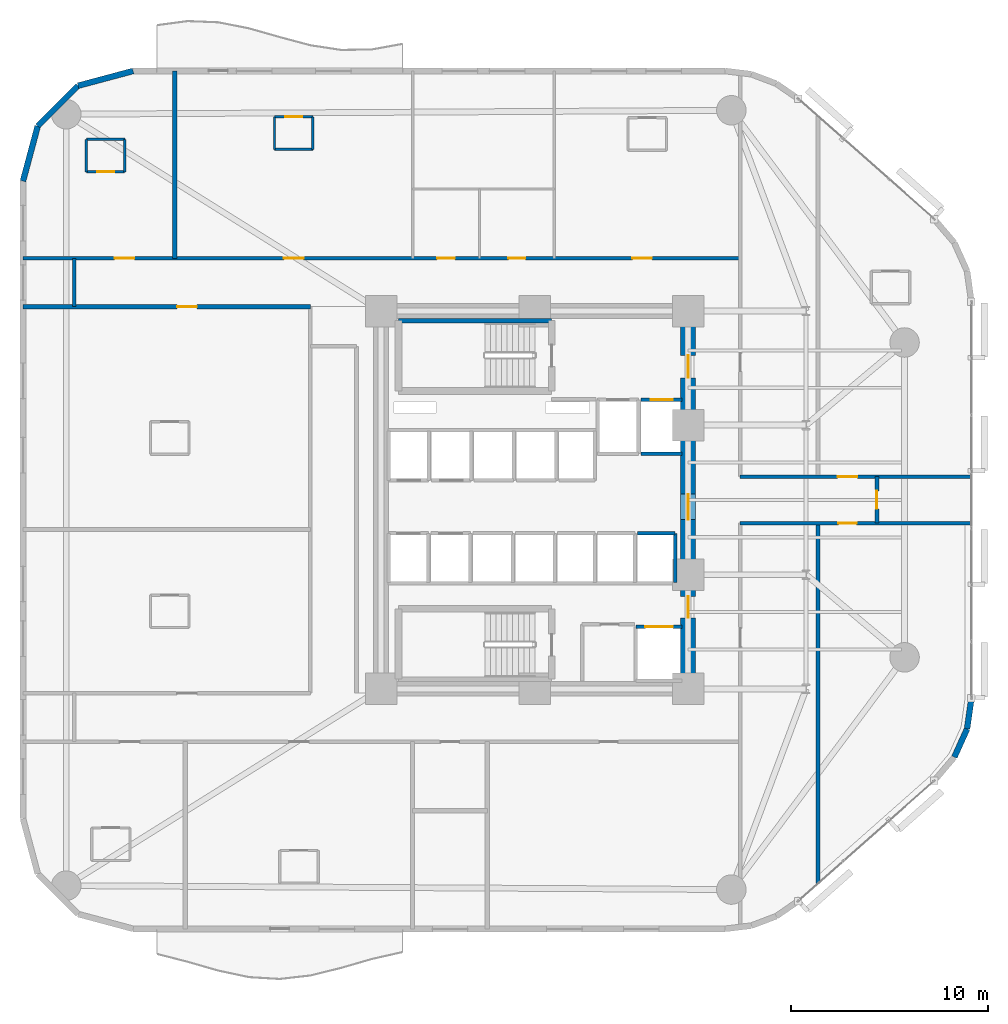
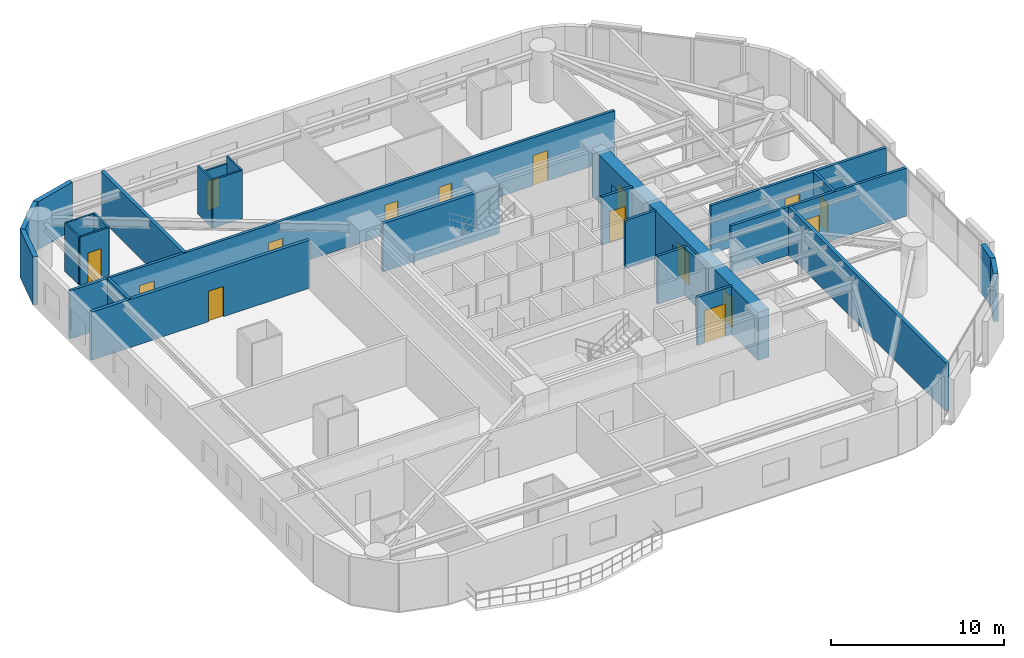
# One storey, part 12 of 16: 28 walls, 16 doors, 16 openings.
"""IFC4 building model written with IfcOpenShell, lengths in metres."""

import ifcopenshell
import ifcopenshell.guid

model = None  # the IFC model being written
_history = None  # IfcOwnerHistory: only IFC2X3 demands one
_inside = {}  # id of a spatial element -> (the spatial element, [elements in it])
_under = {}  # id of a project, library or spatial element -> (it, [spatial elements below it])
_declared = {}  # id of a project -> (the project, [libraries it declares])
_typed = {}  # id of a type object -> (the type object, [elements of that type])
_made_of = {}  # id of a material, layer set ... -> (it, [elements and type objects made of it])


def new_model(schema):
    """Start an empty IFC model of exactly this schema.

    Asked for "IFC4X3", IfcOpenShell would pick the latest addendum, in which some entities
    have other attributes; the version numbers below select the first issue.
    IFC2X3 requires an IfcOwnerHistory on every rooted entity: one is made here for all.
    """
    global model, _history
    if schema == "IFC4X3":
        model = ifcopenshell.file(schema_version=(4, 3, 0, 0))
    else:
        model = ifcopenshell.file(schema=schema)
    _inside.clear()
    _under.clear()
    _declared.clear()
    _typed.clear()
    _made_of.clear()
    _history = None
    if model.schema == "IFC2X3":
        org = make("IfcOrganization", Name="unknown")
        user = make(
            "IfcPersonAndOrganization",
            ThePerson=make("IfcPerson", FamilyName="unknown"),
            TheOrganization=org,
        )
        app = make(
            "IfcApplication",
            ApplicationDeveloper=org,
            Version="unknown",
            ApplicationFullName="unknown",
            ApplicationIdentifier="unknown",
        )
        _history = make(
            "IfcOwnerHistory",
            OwningUser=user,
            OwningApplication=app,
            ChangeAction="ADDED",
            CreationDate=0,
        )
    return model


def make(cls, **values):
    """One entity of the class cls with the attributes given. An attribute that is None is left unset."""
    return model.create_entity(
        cls, **{name: value for name, value in values.items() if value is not None}
    )


def rooted(cls, **values):
    """An entity with a GlobalId (a new one), such as an element, a storey or a relation."""
    return make(cls, GlobalId=ifcopenshell.guid.new(), OwnerHistory=_history, **values)


def si_unit(unit_type, name, prefix=None):
    """IfcSIUnit, for example si_unit("LENGTHUNIT", "METRE", prefix="MILLI")."""
    return make("IfcSIUnit", UnitType=unit_type, Prefix=prefix, Name=name)


def assignment(units):
    """IfcUnitAssignment: the units of a project."""
    return None if units is None else make("IfcUnitAssignment", Units=units)


def point(xyz):
    """IfcCartesianPoint."""
    return None if xyz is None else make("IfcCartesianPoint", Coordinates=xyz)


def direction(xyz):
    """IfcDirection."""
    return None if xyz is None else make("IfcDirection", DirectionRatios=xyz)


def frame(location, z_axis=None, x_axis=None):
    """IfcAxis2Placement3D, a coordinate frame: its origin and axes. An axis left out is left unset."""
    return make(
        "IfcAxis2Placement3D",
        Location=point(location),
        Axis=direction(z_axis),
        RefDirection=direction(x_axis),
    )


def frame_2d(location, x_axis=None):
    """IfcAxis2Placement2D, a coordinate frame in the plane: its origin and x axis."""
    return make(
        "IfcAxis2Placement2D", Location=point(location), RefDirection=direction(x_axis)
    )


def origin():
    """The frame at (0, 0, 0) with its axes left unset."""
    return frame((0.0, 0.0, 0.0))


def place(relative_to, where):
    """IfcLocalPlacement: puts the frame where relative to a parent placement (None: the world)."""
    return make(
        "IfcLocalPlacement", PlacementRelTo=relative_to, RelativePlacement=where
    )


def context(
    kind, dimensions, precision=None, world=None, true_north=None, identifier=None
):
    """IfcGeometricRepresentationContext, for example the 3D "Model" context."""
    return make(
        "IfcGeometricRepresentationContext",
        ContextIdentifier=identifier,
        ContextType=kind,
        CoordinateSpaceDimension=dimensions,
        Precision=precision,
        WorldCoordinateSystem=world,
        TrueNorth=true_north,
    )


def subcontext(parent, identifier, kind, view, scale=None):
    """IfcGeometricRepresentationSubContext, for example "Body" below "Model"."""
    return make(
        "IfcGeometricRepresentationSubContext",
        ContextIdentifier=identifier,
        ContextType=kind,
        ParentContext=parent,
        TargetScale=scale,
        TargetView=view,
    )


def project(units=None, contexts=None):
    """IfcProject with its units and contexts."""
    return rooted(
        "IfcProject",
        Name="project",
        RepresentationContexts=contexts,
        UnitsInContext=assignment(units),
    )


def spatial(cls, under=None, at=None, **own):
    """A site, building, storey or space (cls), placed at a placement, below another one or the project."""
    s = rooted(cls, ObjectPlacement=at, **own)
    if under is not None:
        _under.setdefault(under.id(), (under, []))[1].append(s)
    return s


def profile(cls, at=None, kind="AREA", **sizes):
    """A parametric profile (cls). Its sizes go by their IFC names, for example OverallWidth=200.0."""
    return make(cls, ProfileType=kind, Position=at, **sizes)


def rectangle(**sizes):
    """IfcRectangleProfileDef."""
    return profile("IfcRectangleProfileDef", **sizes)


def extrude(swept, where, along, depth):
    """IfcExtrudedAreaSolid: the profile swept, set in the frame where, extruded along a direction by depth."""
    return make(
        "IfcExtrudedAreaSolid",
        SweptArea=swept,
        Position=where,
        ExtrudedDirection=direction(along),
        Depth=depth,
    )


def shape(context_of_items, identifier, shape_type, items):
    """IfcShapeRepresentation: the items that make up one representation, for example the "Body"."""
    return make(
        "IfcShapeRepresentation",
        ContextOfItems=context_of_items,
        RepresentationIdentifier=identifier,
        RepresentationType=shape_type,
        Items=items,
    )


def material(Name=None, Category=None):
    """IfcMaterial."""
    return make("IfcMaterial", Name=Name, Category=Category)


def layer(
    of_material, thickness, ventilated=None, Name=None, Category=None, Priority=None
):
    """IfcMaterialLayer: one layer of a wall or slab, of a material (None: an air gap)."""
    return make(
        "IfcMaterialLayer",
        Material=of_material,
        LayerThickness=thickness,
        IsVentilated=ventilated,
        Name=Name,
        Category=Category,
        Priority=Priority,
    )


def layer_set(layers, Name=None):
    """IfcMaterialLayerSet."""
    return make("IfcMaterialLayerSet", MaterialLayers=layers, LayerSetName=Name)


def made_of(thing, what):
    """Note that an element or type object is made of a material, layer set ...; save() writes the relation."""
    if what is not None:
        _made_of.setdefault(what.id(), (what, []))[1].append(thing)
    return thing


def type_object(cls, material=None, **own):
    """A type object (cls), such as IfcWallType, which elements share."""
    return made_of(rooted(cls, **own), material)


def element(
    cls,
    number,
    at=None,
    inside=None,
    cuts=None,
    type_object=None,
    material=None,
    context=None,
    identifier="Body",
    shape_type=None,
    held_by="IfcProductDefinitionShape",
    body=None,
    shapes=None,
    **own,
):
    """One element of the class cls, such as IfcWall. Its Tag is "e" and its number.

    at: its placement. inside: the storey or other place that contains it. cuts: it is an
    opening in that element (IfcRelVoidsElement). A single representation is given by context,
    identifier, shape_type and body (its items); several are given by shapes. held_by: the class
    of the entity that holds the representations. save() writes the other relations.
    """
    e = rooted(cls, Tag="e%d" % number, ObjectPlacement=at, **own)
    if body is not None:
        shapes = [shape(context, identifier, shape_type, body)]
    if shapes is not None:
        e.Representation = make(held_by, Representations=shapes)
    if inside is not None:
        _inside.setdefault(inside.id(), (inside, []))[1].append(e)
    if cuts is not None:
        rooted(
            "IfcRelVoidsElement", RelatingBuildingElement=cuts, RelatedOpeningElement=e
        )
    if type_object is not None:
        _typed.setdefault(type_object.id(), (type_object, []))[1].append(e)
    return made_of(e, material)


def fill(opening, filler):
    """IfcRelFillsElement: the door or window that sits in an opening."""
    return rooted(
        "IfcRelFillsElement",
        RelatingOpeningElement=opening,
        RelatedBuildingElement=filler,
    )


def aggregate(whole, parts):
    """IfcRelAggregates: a whole, such as a stair, and the parts it consists of."""
    return rooted("IfcRelAggregates", RelatingObject=whole, RelatedObjects=parts)


def save(model, path):
    """Write the relations noted so far, then the file.

    IfcRelAggregates (storeys below a building ...), IfcRelContainedInSpatialStructure (elements
    in a storey), IfcRelDefinesByType, IfcRelAssociatesMaterial and IfcRelDeclares: one each for
    every whole, place, type object, material and project.
    """
    for whole, parts in _under.values():
        aggregate(whole, parts)
    for where, things in _inside.values():
        rooted(
            "IfcRelContainedInSpatialStructure",
            RelatedElements=things,
            RelatingStructure=where,
        )
    for kind, things in _typed.values():
        rooted("IfcRelDefinesByType", RelatedObjects=things, RelatingType=kind)
    for what, things in _made_of.values():
        rooted("IfcRelAssociatesMaterial", RelatedObjects=things, RelatingMaterial=what)
    for by, libraries in _declared.values():
        rooted("IfcRelDeclares", RelatingContext=by, RelatedDefinitions=libraries)
    model.write(path)


model = new_model("IFC4")

# Units and contexts
model_context = context("Model", 3, precision=1e-05, world=origin(), true_north=direction((0.0, 1.0)))
body_context = subcontext(model_context, "Body", "Model", "MODEL_VIEW")
ifc_project = project(units=[si_unit("LENGTHUNIT", "METRE"), si_unit("AREAUNIT", "SQUARE_METRE"), si_unit("VOLUMEUNIT", "CUBIC_METRE"), si_unit("PLANEANGLEUNIT", "RADIAN"), si_unit("MASSUNIT", "GRAM", prefix="KILO")], contexts=[model_context])

# Site, building, storey
site_placement = place(None, origin())
site = spatial("IfcSite", under=ifc_project, at=site_placement, CompositionType="ELEMENT")
building_placement = place(site_placement, origin())
building = spatial("IfcBuilding", under=site, at=building_placement, Name="An Khanh Terracotta Commons", CompositionType="ELEMENT")
storey_placement = place(building_placement, frame((0.0, 0.0, 28.800048828125)))
storey = spatial("IfcBuildingStorey", under=building, at=storey_placement, Name="L07", CompositionType="ELEMENT", Elevation=28.800048828125)

# Wall, openings, doors
ifc_material_1 = material(Name="Concrete C70/85", Category="concrete")
ifc_layer_1 = layer(ifc_material_1, 0.75, Name="Concrete C70/85")
ifc_layer_set_1 = layer_set([ifc_layer_1], Name="Concrete C70/85")
wall_type_1 = type_object("IfcWallType", Name="WALL-CORE-750", PredefinedType="SHEAR", material=ifc_layer_set_1)
wall_1_placement = place(storey_placement, frame((37.199951171875, 14.39990234375, 0.0), z_axis=(0.0, 0.0, 1.0), x_axis=(0.0, 1.0, 0.0)))
wall_1 = element("IfcWall", 1, at=wall_1_placement, inside=storey, type_object=wall_type_1, Name="L07 Core Wall CWALL-L07-E", PredefinedType="SHEAR", context=body_context, shape_type="SweptSolid", body=[
    extrude(rectangle(XDim=19.2001953125, YDim=0.75, at=frame_2d((9.60009765625, 0.0))), origin(), (0.0, 0.0, 1.0), 3.39990234375),
])
opening_1_placement = place(wall_1_placement, frame((15.800048828125, 0.0, 0.0)))
opening_1 = element("IfcOpeningElement", 2, at=opening_1_placement, cuts=wall_1, Name="Opening D-FFL", PredefinedType="OPENING", context=body_context, shape_type="SweptSolid", body=[
    extrude(rectangle(XDim=1.14990234375, YDim=2.14990234375, at=frame_2d((0.574951171875, 1.074951171875))), frame((0.0, 0.385009765625, 0.0), z_axis=(0.0, -1.0, 0.0), x_axis=(1.0, 0.0, 0.0)), (0.0, 0.0, 1.0), 0.77001953125),
])
opening_2_placement = place(wall_1_placement, frame((3.60009765625, 0.0, 0.0)))
opening_2 = element("IfcOpeningElement", 3, at=opening_2_placement, cuts=wall_1, Name="Opening D-ST", PredefinedType="OPENING", context=body_context, shape_type="SweptSolid", body=[
    extrude(rectangle(XDim=1.10009765625, YDim=2.14990234375, at=frame_2d((0.550048828125, 1.074951171875))), frame((0.0, 0.385009765625, 0.0), z_axis=(0.0, -1.0, 0.0), x_axis=(1.0, 0.0, 0.0)), (0.0, 0.0, 1.0), 0.77001953125),
])
opening_3_placement = place(wall_1_placement, frame((8.60009765625, 0.0, 0.0)))
opening_3 = element("IfcOpeningElement", 4, at=opening_3_placement, cuts=wall_1, Name="Opening D-COR", PredefinedType="OPENING", context=body_context, shape_type="SweptSolid", body=[
    extrude(rectangle(XDim=1.300048828125, YDim=2.199951171875, at=frame_2d((0.64990234375, 1.10009765625))), frame((0.0, 0.385009765625, 0.0), z_axis=(0.0, -1.0, 0.0), x_axis=(1.0, 0.0, 0.0)), (0.0, 0.0, 1.0), 0.77001953125),
])
ifc_material_2 = material(Name="Fire-Rated Glazed Steel Double Door", Category="steel")
door_type_1 = type_object("IfcDoorType", Name="DOOR-CORR-1300", OperationType="NOTDEFINED", PredefinedType="DOOR", material=ifc_material_2)
door_1_placement = place(opening_3_placement, origin())
door_1 = element("IfcDoor", 5, at=door_1_placement, inside=storey, type_object=door_type_1, Name="L07 Passenger Lift Lobby Double Door", OperationType="DOUBLE_DOOR_SINGLE_SWING", OverallHeight=2.199951171875, OverallWidth=1.300048828125, PredefinedType="DOOR", context=body_context, shape_type="SweptSolid", body=[
    extrude(rectangle(XDim=1.300048828125, YDim=2.199951171875, at=frame_2d((0.64990234375, 1.10009765625))), frame((0.0, 0.02490234375, 0.0), z_axis=(0.0, -1.0, 0.0), x_axis=(1.0, 0.0, 0.0)), (0.0, 0.0, 1.0), 0.050048828125),
])
fill(opening_3, door_1)
ifc_material_3 = material(Name="Fire-Rated Steel Leaf and Vision Panel", Category="steel")
door_type_2 = type_object("IfcDoorType", Name="DOOR-FFL-1150", OperationType="NOTDEFINED", PredefinedType="DOOR", material=ifc_material_3)
door_2_placement = place(opening_1_placement, origin())
door_2 = element("IfcDoor", 6, at=door_2_placement, inside=storey, type_object=door_type_2, Name="L07 Firefighting Lift Lobby Fire Door", OperationType="SINGLE_SWING_RIGHT", OverallHeight=2.14990234375, OverallWidth=1.14990234375, PredefinedType="DOOR", context=body_context, shape_type="SweptSolid", body=[
    extrude(rectangle(XDim=1.14990234375, YDim=2.14990234375, at=frame_2d((0.574951171875, 1.074951171875))), frame((0.0, 0.02490234375, 0.0), z_axis=(0.0, -1.0, 0.0), x_axis=(1.0, 0.0, 0.0)), (0.0, 0.0, 1.0), 0.050048828125),
])
fill(opening_1, door_2)
ifc_material_4 = material(Name="Fire-Rated Steel Leaf and Frame", Category="steel")
door_type_3 = type_object("IfcDoorType", Name="DOOR-STAIR-1100", OperationType="NOTDEFINED", PredefinedType="DOOR", material=ifc_material_4)
door_3_placement = place(opening_2_placement, origin())
door_3 = element("IfcDoor", 7, at=door_3_placement, inside=storey, type_object=door_type_3, Name="L07 South Stair Lobby Fire Door", OperationType="SINGLE_SWING_LEFT", OverallHeight=2.14990234375, OverallWidth=1.10009765625, PredefinedType="DOOR", context=body_context, shape_type="SweptSolid", body=[
    extrude(rectangle(XDim=1.10009765625, YDim=2.14990234375, at=frame_2d((0.550048828125, 1.074951171875))), frame((0.0, 0.02490234375, 0.0), z_axis=(0.0, -1.0, 0.0), x_axis=(1.0, 0.0, 0.0)), (0.0, 0.0, 1.0), 0.050048828125),
])
fill(opening_2, door_3)

# Wall, opening, door
ifc_material_5 = material(Name="Fire-Rated Gypsum Board on Steel Stud", Category="steel")
ifc_layer_2 = layer(ifc_material_5, 0.179931640625, Name="Fire-Rated Gypsum Board on Steel Stud")
ifc_layer_set_2 = layer_set([ifc_layer_2], Name="Fire-Rated Gypsum Board on Steel Stud")
wall_type_2 = type_object("IfcWallType", Name="WALL-CORR-180", PredefinedType="PARTITIONING", material=ifc_layer_set_2)
wall_2_placement = place(storey_placement, frame((34.820068359375, 29.080078125, 0.0), z_axis=(0.0, 0.0, 1.0), x_axis=(1.0, 0.0, 0.0)))
wall_2 = element("IfcWall", 8, at=wall_2_placement, inside=storey, type_object=wall_type_2, Name="L07 Core Wall LSH-L07-FFL-02-N", PredefinedType="PARTITIONING", context=body_context, shape_type="SweptSolid", body=[
    extrude(rectangle(XDim=2.079833984375, YDim=0.179931640625, at=frame_2d((1.0400390625, 0.0))), origin(), (0.0, 0.0, 1.0), 3.39990234375),
])
opening_4_placement = place(wall_2_placement, frame((0.489990234375, 0.0, 0.0)))
opening_4 = element("IfcOpeningElement", 9, at=opening_4_placement, cuts=wall_2, Name="Opening LD-FFL-02-L07", PredefinedType="OPENING", context=body_context, shape_type="SweptSolid", body=[
    extrude(rectangle(XDim=1.10009765625, YDim=2.199951171875, at=frame_2d((0.550048828125, 1.10009765625))), frame((0.0, 0.099853515625, 0.0), z_axis=(0.0, -1.0, 0.0), x_axis=(1.0, 0.0, 0.0)), (0.0, 0.0, 1.0), 0.199951171875),
])
ifc_material_6 = material(Name="Brushed Stainless Steel Fire Landing Door", Category="steel")
door_type_4 = type_object("IfcDoorType", Name="DOOR-LD-FFL-1100", OperationType="NOTDEFINED", PredefinedType="DOOR", material=ifc_material_6)
door_4_placement = place(opening_4_placement, origin())
door_4 = element("IfcDoor", 10, at=door_4_placement, inside=storey, type_object=door_type_4, Name="L07 Lift FFL-02 Sliding Landing Door", OperationType="DOUBLE_DOOR_SLIDING", OverallHeight=2.199951171875, OverallWidth=1.10009765625, PredefinedType="DOOR", context=body_context, shape_type="SweptSolid", body=[
    extrude(rectangle(XDim=1.10009765625, YDim=2.199951171875, at=frame_2d((0.550048828125, 1.10009765625))), frame((0.0, 0.02490234375, 0.0), z_axis=(0.0, -1.0, 0.0), x_axis=(1.0, 0.0, 0.0)), (0.0, 0.0, 1.0), 0.050048828125),
])
fill(opening_4, door_4)

# Wall
wall_3_placement = place(storey_placement, frame((36.89990234375, 26.35009765625, 0.0), z_axis=(0.0, 0.0, 1.0), x_axis=(-1.0, 0.0, 0.0)))
element("IfcWall", 11, at=wall_3_placement, inside=storey, type_object=wall_type_2, Name="L07 Core Wall LSH-L07-FFL-02-S", PredefinedType="PARTITIONING", context=body_context, shape_type="SweptSolid", body=[
    extrude(rectangle(XDim=2.079833984375, YDim=0.179931640625, at=frame_2d((1.0400390625, 0.0))), origin(), (0.0, 0.0, 1.0), 3.39990234375),
])

# Wall, opening, door
wall_4_placement = place(storey_placement, frame((34.550048828125, 17.550048828125, 0.0), z_axis=(0.0, 0.0, 1.0), x_axis=(1.0, 0.0, 0.0)))
wall_4 = element("IfcWall", 12, at=wall_4_placement, inside=storey, type_object=wall_type_2, Name="L07 Core Wall LSH-L07-SVL-01-N", PredefinedType="PARTITIONING", context=body_context, shape_type="SweptSolid", body=[
    extrude(rectangle(XDim=2.349853515625, YDim=0.179931640625, at=frame_2d((1.1748046875, 0.0))), origin(), (0.0, 0.0, 1.0), 3.39990234375),
])
opening_5_placement = place(wall_4_placement, frame((0.47509765625, 0.0, 0.0)))
opening_5 = element("IfcOpeningElement", 13, at=opening_5_placement, cuts=wall_4, Name="Opening LD-SVL-01-L07", PredefinedType="OPENING", context=body_context, shape_type="SweptSolid", body=[
    extrude(rectangle(XDim=1.39990234375, YDim=2.300048828125, at=frame_2d((0.699951171875, 1.14990234375))), frame((0.0, 0.099853515625, 0.0), z_axis=(0.0, -1.0, 0.0), x_axis=(1.0, 0.0, 0.0)), (0.0, 0.0, 1.0), 0.199951171875),
])
ifc_material_7 = material(Name="Heavy-Duty Stainless Steel Goods Landing Door", Category="steel")
door_type_5 = type_object("IfcDoorType", Name="DOOR-LD-SVL-1400", OperationType="NOTDEFINED", PredefinedType="DOOR", material=ifc_material_7)
door_5_placement = place(opening_5_placement, origin())
door_5 = element("IfcDoor", 14, at=door_5_placement, inside=storey, type_object=door_type_5, Name="L07 Lift SVL-01 Sliding Landing Door", OperationType="DOUBLE_DOOR_SLIDING", OverallHeight=2.300048828125, OverallWidth=1.39990234375, PredefinedType="DOOR", context=body_context, shape_type="SweptSolid", body=[
    extrude(rectangle(XDim=1.39990234375, YDim=2.300048828125, at=frame_2d((0.699951171875, 1.14990234375))), frame((0.0, 0.02490234375, 0.0), z_axis=(0.0, -1.0, 0.0), x_axis=(1.0, 0.0, 0.0)), (0.0, 0.0, 1.0), 0.050048828125),
])
fill(opening_5, door_5)

# Walls
wall_5_placement = place(storey_placement, frame((34.639892578125, 22.300048828125, 0.0), z_axis=(0.0, 0.0, 1.0), x_axis=(1.0, 0.0, 0.0)))
element("IfcWall", 15, at=wall_5_placement, inside=storey, type_object=wall_type_2, Name="L07 Core Wall LSH-L07-PL-H4-N", PredefinedType="PARTITIONING", context=body_context, shape_type="SweptSolid", body=[
    extrude(rectangle(XDim=1.900146484375, YDim=0.179931640625, at=frame_2d((0.9501953125, 0.0))), origin(), (0.0, 0.0, 1.0), 3.39990234375),
])
wall_6_placement = place(storey_placement, frame((36.5400390625, 19.800048828125, 0.0), z_axis=(0.0, 0.0, 1.0), x_axis=(0.0, 1.0, 0.0)))
element("IfcWall", 16, at=wall_6_placement, inside=storey, type_object=wall_type_2, Name="L07 Core Wall LSH-L07-PL-H4-E", PredefinedType="PARTITIONING", context=body_context, shape_type="SweptSolid", body=[
    extrude(rectangle(XDim=2.5, YDim=0.179931640625, at=frame_2d((1.25, 0.0))), origin(), (0.0, 0.0, 1.0), 3.39990234375),
])

# Wall, opening, door
wall_7_placement = place(storey_placement, frame((39.85009765625, 22.820068359375, 0.0), z_axis=(0.0, 0.0, 1.0), x_axis=(1.0, 0.0, 0.0)))
wall_7 = element("IfcWall", 17, at=wall_7_placement, inside=storey, type_object=wall_type_2, Name="L07 Interior Partition IW-L07-E005", PredefinedType="PARTITIONING", context=body_context, shape_type="SweptSolid", body=[
    extrude(rectangle(XDim=11.75, YDim=0.179931640625, at=frame_2d((5.875, 0.0))), origin(), (0.0, 0.0, 1.0), 3.39990234375),
])
opening_6_placement = place(wall_7_placement, frame((4.989990234375, 0.0, 0.0)))
opening_6 = element("IfcOpeningElement", 18, at=opening_6_placement, cuts=wall_7, Name="Opening D-RM", PredefinedType="OPENING", context=body_context, shape_type="SweptSolid", body=[
    extrude(rectangle(XDim=0.919921875, YDim=2.10009765625, at=frame_2d((0.4599609375, 1.050048828125))), frame((0.0, 0.099853515625, 0.0), z_axis=(0.0, -1.0, 0.0), x_axis=(1.0, 0.0, 0.0)), (0.0, 0.0, 1.0), 0.199951171875),
])
ifc_material_8 = material(Name="Engineered Hardwood Timber Leaf", Category="wood")
door_type_6 = type_object("IfcDoorType", Name="DOOR-INT-920", OperationType="NOTDEFINED", PredefinedType="DOOR", material=ifc_material_8)
door_6_placement = place(opening_6_placement, origin())
door_6 = element("IfcDoor", 19, at=door_6_placement, inside=storey, type_object=door_type_6, Name="L07 ENO2 Riverfront Reading Hall Door", OperationType="SINGLE_SWING_LEFT", OverallHeight=2.10009765625, OverallWidth=0.919921875, PredefinedType="DOOR", context=body_context, shape_type="SweptSolid", body=[
    extrude(rectangle(XDim=0.919921875, YDim=2.10009765625, at=frame_2d((0.4599609375, 1.050048828125))), frame((0.0, 0.02490234375, 0.0), z_axis=(0.0, -1.0, 0.0), x_axis=(1.0, 0.0, 0.0)), (0.0, 0.0, 1.0), 0.050048828125),
])
fill(opening_6, door_6)

wall_8_placement = place(storey_placement, frame((39.85009765625, 25.179931640625, 0.0), z_axis=(0.0, 0.0, 1.0), x_axis=(1.0, 0.0, 0.0)))
wall_8 = element("IfcWall", 20, at=wall_8_placement, inside=storey, type_object=wall_type_2, Name="L07 Interior Partition IW-L07-E006", PredefinedType="PARTITIONING", context=body_context, shape_type="SweptSolid", body=[
    extrude(rectangle(XDim=11.75, YDim=0.179931640625, at=frame_2d((5.875, 0.0))), origin(), (0.0, 0.0, 1.0), 3.39990234375),
])
opening_7_placement = place(wall_8_placement, frame((4.949951171875, 0.0, 0.0)))
opening_7 = element("IfcOpeningElement", 21, at=opening_7_placement, cuts=wall_8, Name="Opening D-UN", PredefinedType="OPENING", context=body_context, shape_type="SweptSolid", body=[
    extrude(rectangle(XDim=1.0, YDim=2.14990234375, at=frame_2d((0.5, 1.074951171875))), frame((0.0, 0.099853515625, 0.0), z_axis=(0.0, -1.0, 0.0), x_axis=(1.0, 0.0, 0.0)), (0.0, 0.0, 1.0), 0.199951171875),
])
ifc_material_9 = material(Name="Solid-Core Hardwood Acoustic Fire Door", Category="wood")
door_type_7 = type_object("IfcDoorType", Name="DOOR-UNIT-1000", OperationType="NOTDEFINED", PredefinedType="DOOR", material=ifc_material_9)
door_7_placement = place(opening_7_placement, origin())
door_7 = element("IfcDoor", 22, at=door_7_placement, inside=storey, type_object=door_type_7, Name="L07 ENO1 Kitchenette and Studio Apartment Door", OperationType="SINGLE_SWING_RIGHT", OverallHeight=2.14990234375, OverallWidth=1.0, PredefinedType="DOOR", context=body_context, shape_type="SweptSolid", body=[
    extrude(rectangle(XDim=1.0, YDim=2.14990234375, at=frame_2d((0.5, 1.074951171875))), frame((0.0, 0.02490234375, 0.0), z_axis=(0.0, -1.0, 0.0), x_axis=(1.0, 0.0, 0.0)), (0.0, 0.0, 1.0), 0.050048828125),
])
fill(opening_7, door_7)

# Wall, openings, doors
wall_9_placement = place(storey_placement, frame((3.39990234375, 36.280029296875, 0.0), z_axis=(0.0, 0.0, 1.0), x_axis=(1.0, 0.0, 0.0)))
wall_9 = element("IfcWall", 23, at=wall_9_placement, inside=storey, type_object=wall_type_2, Name="L07 Interior Partition IW-L07-E009", PredefinedType="PARTITIONING", context=body_context, shape_type="SweptSolid", body=[
    extrude(rectangle(XDim=36.4501953125, YDim=0.179931640625, at=frame_2d((18.22509765625, 0.0))), origin(), (0.0, 0.0, 1.0), 3.39990234375),
])
opening_8_placement = place(wall_9_placement, frame((21.050048828125, 0.0, 0.0)))
opening_8 = element("IfcOpeningElement", 24, at=opening_8_placement, cuts=wall_9, Name="Opening D-WC", PredefinedType="OPENING", context=body_context, shape_type="SweptSolid", body=[
    extrude(rectangle(XDim=0.89990234375, YDim=2.10009765625, at=frame_2d((0.449951171875, 1.050048828125))), frame((0.0, 0.099853515625, 0.0), z_axis=(0.0, -1.0, 0.0), x_axis=(1.0, 0.0, 0.0)), (0.0, 0.0, 1.0), 0.199951171875),
])
opening_9_placement = place(wall_9_placement, frame((24.669921875, 0.0, 0.0)))
opening_9 = element("IfcOpeningElement", 25, at=opening_9_placement, cuts=wall_9, Name="Opening D-ENS", PredefinedType="OPENING", context=body_context, shape_type="SweptSolid", body=[
    extrude(rectangle(XDim=0.860107421875, YDim=2.10009765625, at=frame_2d((0.43017578125, 1.050048828125))), frame((0.0, 0.099853515625, 0.0), z_axis=(0.0, -1.0, 0.0), x_axis=(1.0, 0.0, 0.0)), (0.0, 0.0, 1.0), 0.199951171875),
])
opening_10_placement = place(wall_9_placement, frame((4.658935546875, 0.0, 0.0)))
opening_10 = element("IfcOpeningElement", 26, at=opening_10_placement, cuts=wall_9, Name="Opening D-UN", PredefinedType="OPENING", context=body_context, shape_type="SweptSolid", body=[
    extrude(rectangle(XDim=1.0, YDim=2.14990234375, at=frame_2d((0.5, 1.074951171875))), frame((0.0, 0.099853515625, 0.0), z_axis=(0.0, -1.0, 0.0), x_axis=(1.0, 0.0, 0.0)), (0.0, 0.0, 1.0), 0.199951171875),
])
opening_11_placement = place(wall_9_placement, frame((13.258056640625, 0.0, 0.0)))
opening_11 = element("IfcOpeningElement", 27, at=opening_11_placement, cuts=wall_9, Name="Opening D-UN", PredefinedType="OPENING", context=body_context, shape_type="SweptSolid", body=[
    extrude(rectangle(XDim=1.0, YDim=2.14990234375, at=frame_2d((0.5, 1.074951171875))), frame((0.0, 0.099853515625, 0.0), z_axis=(0.0, -1.0, 0.0), x_axis=(1.0, 0.0, 0.0)), (0.0, 0.0, 1.0), 0.199951171875),
])
opening_12_placement = place(wall_9_placement, frame((30.965087890625, 0.0, 0.0)))
opening_12 = element("IfcOpeningElement", 28, at=opening_12_placement, cuts=wall_9, Name="Opening D-UN", PredefinedType="OPENING", context=body_context, shape_type="SweptSolid", body=[
    extrude(rectangle(XDim=1.0, YDim=2.14990234375, at=frame_2d((0.5, 1.074951171875))), frame((0.0, 0.099853515625, 0.0), z_axis=(0.0, -1.0, 0.0), x_axis=(1.0, 0.0, 0.0)), (0.0, 0.0, 1.0), 0.199951171875),
])
ifc_material_10 = material(Name="Moisture-Resistant Hardwood Timber Leaf", Category="wood")
door_type_8 = type_object("IfcDoorType", Name="DOOR-BATH-860", OperationType="NOTDEFINED", PredefinedType="DOOR", material=ifc_material_10)
door_8_placement = place(opening_9_placement, origin())
door_8 = element("IfcDoor", 29, at=door_8_placement, inside=storey, type_object=door_type_8, Name="L07 SHW Resident Shared Shower and Washroom Door", OperationType="SINGLE_SWING_RIGHT", OverallHeight=2.10009765625, OverallWidth=0.860107421875, PredefinedType="DOOR", context=body_context, shape_type="SweptSolid", body=[
    extrude(rectangle(XDim=0.860107421875, YDim=2.10009765625, at=frame_2d((0.43017578125, 1.050048828125))), frame((0.0, 0.02490234375, 0.0), z_axis=(0.0, -1.0, 0.0), x_axis=(1.0, 0.0, 0.0)), (0.0, 0.0, 1.0), 0.050048828125),
])
fill(opening_9, door_8)
door_9_placement = place(opening_10_placement, origin())
door_9 = element("IfcDoor", 30, at=door_9_placement, inside=storey, type_object=door_type_7, Name="L07 NW1 Kitchenette and Studio Apartment Door", OperationType="SINGLE_SWING_LEFT", OverallHeight=2.14990234375, OverallWidth=1.0, PredefinedType="DOOR", context=body_context, shape_type="SweptSolid", body=[
    extrude(rectangle(XDim=1.0, YDim=2.14990234375, at=frame_2d((0.5, 1.074951171875))), frame((0.0, 0.02490234375, 0.0), z_axis=(0.0, -1.0, 0.0), x_axis=(1.0, 0.0, 0.0)), (0.0, 0.0, 1.0), 0.050048828125),
])
fill(opening_10, door_9)
door_10_placement = place(opening_11_placement, origin())
door_10 = element("IfcDoor", 31, at=door_10_placement, inside=storey, type_object=door_type_7, Name="L07 NW2 Kitchenette and Studio Apartment Door", OperationType="SINGLE_SWING_RIGHT", OverallHeight=2.14990234375, OverallWidth=1.0, PredefinedType="DOOR", context=body_context, shape_type="SweptSolid", body=[
    extrude(rectangle(XDim=1.0, YDim=2.14990234375, at=frame_2d((0.5, 1.074951171875))), frame((0.0, 0.02490234375, 0.0), z_axis=(0.0, -1.0, 0.0), x_axis=(1.0, 0.0, 0.0)), (0.0, 0.0, 1.0), 0.050048828125),
])
fill(opening_11, door_10)
door_11_placement = place(opening_12_placement, origin())
door_11 = element("IfcDoor", 32, at=door_11_placement, inside=storey, type_object=door_type_7, Name="L07 NWE Kitchenette and Studio Apartment Door", OperationType="SINGLE_SWING_LEFT", OverallHeight=2.14990234375, OverallWidth=1.0, PredefinedType="DOOR", context=body_context, shape_type="SweptSolid", body=[
    extrude(rectangle(XDim=1.0, YDim=2.14990234375, at=frame_2d((0.5, 1.074951171875))), frame((0.0, 0.02490234375, 0.0), z_axis=(0.0, -1.0, 0.0), x_axis=(1.0, 0.0, 0.0)), (0.0, 0.0, 1.0), 0.050048828125),
])
fill(opening_12, door_11)
ifc_material_11 = material(Name="Laminate Moisture-Resistant Timber Leaf", Category="wood")
door_type_9 = type_object("IfcDoorType", Name="DOOR-WC-900", OperationType="NOTDEFINED", PredefinedType="DOOR", material=ifc_material_11)
door_12_placement = place(opening_8_placement, origin())
door_12 = element("IfcDoor", 33, at=door_12_placement, inside=storey, type_object=door_type_9, Name="L07 AWC Accessible WC Door", OperationType="SINGLE_SWING_LEFT", OverallHeight=2.10009765625, OverallWidth=0.89990234375, PredefinedType="DOOR", context=body_context, shape_type="SweptSolid", body=[
    extrude(rectangle(XDim=0.89990234375, YDim=2.10009765625, at=frame_2d((0.449951171875, 1.050048828125))), frame((0.0, 0.02490234375, 0.0), z_axis=(0.0, -1.0, 0.0), x_axis=(1.0, 0.0, 0.0)), (0.0, 0.0, 1.0), 0.050048828125),
])
fill(opening_8, door_12)

# Wall
wall_10_placement = place(storey_placement, frame((6.0, 33.820068359375, 0.0), z_axis=(0.0, 0.0, 1.0), x_axis=(0.0, 1.0, 0.0)))
element("IfcWall", 34, at=wall_10_placement, inside=storey, type_object=wall_type_2, Name="L07 Interior Partition IW-L07-E012", PredefinedType="PARTITIONING", context=body_context, shape_type="SweptSolid", body=[
    extrude(rectangle(XDim=2.4599609375, YDim=0.179931640625, at=frame_2d((1.22998046875, 0.0))), origin(), (0.0, 0.0, 1.0), 3.39990234375),
])

# Wall, opening, door
wall_11_placement = place(storey_placement, frame((46.800048828125, 22.820068359375, 0.0), z_axis=(0.0, 0.0, 1.0), x_axis=(0.0, 1.0, 0.0)))
wall_11 = element("IfcWall", 35, at=wall_11_placement, inside=storey, type_object=wall_type_2, Name="L07 Interior Partition IW-L07-E026", PredefinedType="PARTITIONING", context=body_context, shape_type="SweptSolid", body=[
    extrude(rectangle(XDim=2.35986328125, YDim=0.179931640625, at=frame_2d((1.179931640625, 0.0))), origin(), (0.0, 0.0, 1.0), 3.39990234375),
])
opening_13_placement = place(wall_11_placement, frame((0.719970703125, 0.0, 0.0)))
opening_13 = element("IfcOpeningElement", 36, at=opening_13_placement, cuts=wall_11, Name="Opening D-RM", PredefinedType="OPENING", context=body_context, shape_type="SweptSolid", body=[
    extrude(rectangle(XDim=0.919921875, YDim=2.10009765625, at=frame_2d((0.4599609375, 1.050048828125))), frame((0.0, 0.099853515625, 0.0), z_axis=(0.0, -1.0, 0.0), x_axis=(1.0, 0.0, 0.0)), (0.0, 0.0, 1.0), 0.199951171875),
])
door_13_placement = place(opening_13_placement, origin())
door_13 = element("IfcDoor", 37, at=door_13_placement, inside=storey, type_object=door_type_6, Name="L07 ENO3 Quiet Focus Office Door", OperationType="SINGLE_SWING_RIGHT", OverallHeight=2.10009765625, OverallWidth=0.919921875, PredefinedType="DOOR", context=body_context, shape_type="SweptSolid", body=[
    extrude(rectangle(XDim=0.919921875, YDim=2.10009765625, at=frame_2d((0.4599609375, 1.050048828125))), frame((0.0, 0.02490234375, 0.0), z_axis=(0.0, -1.0, 0.0), x_axis=(1.0, 0.0, 0.0)), (0.0, 0.0, 1.0), 0.050048828125),
])
fill(opening_13, door_13)

# Walls
ifc_material_12 = material(Name="Precast concrete C40/50", Category="concrete")
ifc_layer_3 = layer(ifc_material_12, 0.300048828125, Name="Precast concrete C40/50")
ifc_layer_set_3 = layer_set([ifc_layer_3], Name="Precast concrete C40/50")
wall_type_3 = type_object("IfcWallType", Name="WALL-EXT-300", PredefinedType="SOLIDWALL", material=ifc_layer_set_3)
wall_12_placement = place(storey_placement, frame((50.73193359375, 10.927978515625, 0.0), z_axis=(0.0, 0.0, 1.0), x_axis=(0.410996558744, 0.911636895206, 0.0)))
element("IfcWall", 38, at=wall_12_placement, inside=storey, type_object=wall_type_3, Name="L07 Insulated Terracotta Exterior Wall 10", PredefinedType="SOLIDWALL", context=body_context, shape_type="SweptSolid", body=[
    extrude(rectangle(XDim=1.57421875, YDim=0.300048828125, at=frame_2d((0.787109375, 0.0))), origin(), (0.0, 0.0, 1.0), 3.39990234375),
])
wall_13_placement = place(storey_placement, frame((51.37890625, 12.363037109375, 0.0), z_axis=(0.0, 0.0, 1.0), x_axis=(0.140380048512, 0.990097693149, 0.0)))
element("IfcWall", 39, at=wall_13_placement, inside=storey, type_object=wall_type_3, Name="L07 Insulated Terracotta Exterior Wall 11", PredefinedType="SOLIDWALL", context=body_context, shape_type="SweptSolid", body=[
    extrude(rectangle(XDim=1.57568359375, YDim=0.300048828125, at=frame_2d((0.787841796875, 0.0))), origin(), (0.0, 0.0, 1.0), 3.39990234375),
])
wall_14_placement = place(storey_placement, frame((9.0, 45.800048828125, 0.0), z_axis=(0.0, 0.0, 1.0), x_axis=(-0.96594917914, -0.258731875344, 0.0)))
element("IfcWall", 40, at=wall_14_placement, inside=storey, type_object=wall_type_3, Name="L07 Insulated Terracotta Exterior Wall 21", PredefinedType="SOLIDWALL", context=body_context, shape_type="SweptSolid", body=[
    extrude(rectangle(XDim=2.898681640625, YDim=0.300048828125, at=frame_2d((1.44921875, 0.0))), origin(), (0.0, 0.0, 1.0), 3.39990234375),
])
wall_15_placement = place(storey_placement, frame((6.199951171875, 45.050048828125, 0.0), z_axis=(0.0, 0.0, 1.0), x_axis=(-0.707106781187, -0.707106781187, 0.0)))
element("IfcWall", 41, at=wall_15_placement, inside=storey, type_object=wall_type_3, Name="L07 Insulated Terracotta Exterior Wall 22", PredefinedType="SOLIDWALL", context=body_context, shape_type="SweptSolid", body=[
    extrude(rectangle(XDim=2.899169921875, YDim=0.300048828125, at=frame_2d((1.44970703125, 0.0))), origin(), (0.0, 0.0, 1.0), 3.39990234375),
])
wall_16_placement = place(storey_placement, frame((4.14990234375, 43.0, 0.0), z_axis=(0.0, 0.0, 1.0), x_axis=(-0.258731875344, -0.96594917914, 0.0)))
element("IfcWall", 42, at=wall_16_placement, inside=storey, type_object=wall_type_3, Name="L07 Insulated Terracotta Exterior Wall 23", PredefinedType="SOLIDWALL", context=body_context, shape_type="SweptSolid", body=[
    extrude(rectangle(XDim=2.898681640625, YDim=0.300048828125, at=frame_2d((1.44921875, 0.0))), origin(), (0.0, 0.0, 1.0), 3.39990234375),
])
ifc_material_13 = material(Name="Acoustic Double-Stud Gypsum and Mineral Wool")
ifc_layer_4 = layer(ifc_material_13, 0.219970703125, Name="Acoustic Double-Stud Gypsum and Mineral Wool")
ifc_layer_set_4 = layer_set([ifc_layer_4], Name="Acoustic Double-Stud Gypsum and Mineral Wool")
wall_type_4 = type_object("IfcWallType", Name="WALL-PARTY-220", PredefinedType="PARTITIONING", material=ifc_layer_set_4)
wall_17_placement = place(storey_placement, frame((22.47998046875, 33.110107421875, 0.0), z_axis=(0.0, 0.0, 1.0), x_axis=(1.0, 0.0, 0.0)))
element("IfcWall", 43, at=wall_17_placement, inside=storey, type_object=wall_type_4, Name="L07 Core Wall STW-L07-N-N", PredefinedType="PARTITIONING", context=body_context, shape_type="SweptSolid", body=[
    extrude(rectangle(XDim=7.7900390625, YDim=0.219970703125, at=frame_2d((3.89501953125, 0.0))), origin(), (0.0, 0.0, 1.0), 3.39990234375),
])

# Wall, opening, door
wall_18_placement = place(storey_placement, frame((3.39990234375, 33.820068359375, 0.0), z_axis=(0.0, 0.0, 1.0), x_axis=(1.0, 0.0, 0.0)))
wall_18 = element("IfcWall", 44, at=wall_18_placement, inside=storey, type_object=wall_type_4, Name="L07 Interior Partition IW-L07-E008", PredefinedType="PARTITIONING", context=body_context, shape_type="SweptSolid", body=[
    extrude(rectangle(XDim=14.60009765625, YDim=0.219970703125, at=frame_2d((7.300048828125, 0.0))), origin(), (0.0, 0.0, 1.0), 3.39990234375),
])
opening_14_placement = place(wall_18_placement, frame((7.840087890625, 0.0, 0.0)))
opening_14 = element("IfcOpeningElement", 45, at=opening_14_placement, cuts=wall_18, Name="Opening D-UN", PredefinedType="OPENING", context=body_context, shape_type="SweptSolid", body=[
    extrude(rectangle(XDim=1.0, YDim=2.14990234375, at=frame_2d((0.5, 1.074951171875))), frame((0.0, 0.119873046875, 0.0), z_axis=(0.0, -1.0, 0.0), x_axis=(1.0, 0.0, 0.0)), (0.0, 0.0, 1.0), 0.239990234375),
])
door_14_placement = place(opening_14_placement, origin())
door_14 = element("IfcDoor", 46, at=door_14_placement, inside=storey, type_object=door_type_7, Name="L07 WW2 Kitchenette and Studio Apartment Door", OperationType="SINGLE_SWING_RIGHT", OverallHeight=2.14990234375, OverallWidth=1.0, PredefinedType="DOOR", context=body_context, shape_type="SweptSolid", body=[
    extrude(rectangle(XDim=1.0, YDim=2.14990234375, at=frame_2d((0.5, 1.074951171875))), frame((0.0, 0.02490234375, 0.0), z_axis=(0.0, -1.0, 0.0), x_axis=(1.0, 0.0, 0.0)), (0.0, 0.0, 1.0), 0.050048828125),
])
fill(opening_14, door_14)

# Walls
wall_19_placement = place(storey_placement, frame((11.116943359375, 36.280029296875, 0.0), z_axis=(0.0, 0.0, 1.0), x_axis=(0.0, 1.0, 0.0)))
element("IfcWall", 47, at=wall_19_placement, inside=storey, type_object=wall_type_4, Name="L07 Interior Partition IW-L07-E013", PredefinedType="PARTITIONING", context=body_context, shape_type="SweptSolid", body=[
    extrude(rectangle(XDim=9.52001953125, YDim=0.219970703125, at=frame_2d((4.760009765625, 0.0))), origin(), (0.0, 0.0, 1.0), 3.39990234375),
])
wall_20_placement = place(storey_placement, frame((43.800048828125, 4.5, 0.0), z_axis=(0.0, 0.0, 1.0), x_axis=(0.0, 1.0, 0.0)))
element("IfcWall", 48, at=wall_20_placement, inside=storey, type_object=wall_type_4, Name="L07 Interior Partition IW-L07-E024", PredefinedType="PARTITIONING", context=body_context, shape_type="SweptSolid", body=[
    extrude(rectangle(XDim=18.320068359375, YDim=0.219970703125, at=frame_2d((9.16015625, 0.0))), origin(), (0.0, 0.0, 1.0), 3.39990234375),
])
ifc_material_14 = material(Name="Moisture-Resistant Cement Board Partition")
ifc_layer_5 = layer(ifc_material_14, 0.1201171875, Name="Moisture-Resistant Cement Board Partition")
ifc_layer_set_5 = layer_set([ifc_layer_5], Name="Moisture-Resistant Cement Board Partition")
wall_type_5 = type_object("IfcWallType", Name="WALL-WET-120", PredefinedType="PARTITIONING", material=ifc_layer_set_5)
wall_21_placement = place(storey_placement, frame((6.623046875, 42.321044921875, 0.0), z_axis=(0.0, 0.0, 1.0), x_axis=(1.0, 0.0, 0.0)))
element("IfcWall", 49, at=wall_21_placement, inside=storey, type_object=wall_type_5, Name="L07 Interior Partition IW-L07-NW1-BN", PredefinedType="PARTITIONING", context=body_context, shape_type="SweptSolid", body=[
    extrude(rectangle(XDim=1.949951171875, YDim=0.1201171875, at=frame_2d((0.97509765625, 0.0))), origin(), (0.0, 0.0, 1.0), 3.39990234375),
])

# Wall, opening, door
wall_22_placement = place(storey_placement, frame((8.572998046875, 40.6708984375, 0.0), z_axis=(0.0, 0.0, 1.0), x_axis=(-1.0, 0.0, 0.0)))
wall_22 = element("IfcWall", 50, at=wall_22_placement, inside=storey, type_object=wall_type_5, Name="L07 Interior Partition IW-L07-NW1-BS", PredefinedType="PARTITIONING", context=body_context, shape_type="SweptSolid", body=[
    extrude(rectangle(XDim=1.949951171875, YDim=0.1201171875, at=frame_2d((0.97509765625, 0.0))), origin(), (0.0, 0.0, 1.0), 3.39990234375),
])
opening_15_placement = place(wall_22_placement, frame((0.544921875, 0.0, 0.0)))
opening_15 = element("IfcOpeningElement", 51, at=opening_15_placement, cuts=wall_22, Name="Opening D-ENS", PredefinedType="OPENING", context=body_context, shape_type="SweptSolid", body=[
    extrude(rectangle(XDim=0.860107421875, YDim=2.10009765625, at=frame_2d((0.43017578125, 1.050048828125))), frame((0.0, 0.070068359375, 0.0), z_axis=(0.0, -1.0, 0.0), x_axis=(1.0, 0.0, 0.0)), (0.0, 0.0, 1.0), 0.14013671875),
])
door_15_placement = place(opening_15_placement, origin())
door_15 = element("IfcDoor", 52, at=door_15_placement, inside=storey, type_object=door_type_8, Name="L07 Studio NW1 En-suite Door", OperationType="SINGLE_SWING_RIGHT", OverallHeight=2.10009765625, OverallWidth=0.860107421875, PredefinedType="DOOR", context=body_context, shape_type="SweptSolid", body=[
    extrude(rectangle(XDim=0.860107421875, YDim=2.10009765625, at=frame_2d((0.43017578125, 1.050048828125))), frame((0.0, 0.02490234375, 0.0), z_axis=(0.0, -1.0, 0.0), x_axis=(1.0, 0.0, 0.0)), (0.0, 0.0, 1.0), 0.050048828125),
])
fill(opening_15, door_15)

# Walls
for number, where, z_axis, x_axis, name in (
    (53, (6.623046875, 42.321044921875, 0.0), (0.0, 0.0, 1.0), (0.0, -1.0, 0.0), "L07 Interior Partition IW-L07-NW1-BW"),
    (54, (8.572998046875, 40.6708984375, 0.0), (0.0, 0.0, 1.0), (0.0, 1.0, 0.0), "L07 Interior Partition IW-L07-NW1-BE"),
):
    element("IfcWall", number, at=place(storey_placement, frame(where, z_axis=z_axis, x_axis=x_axis)), inside=storey, type_object=wall_type_5, Name=name, PredefinedType="PARTITIONING", context=body_context, shape_type="SweptSolid", body=[
        extrude(rectangle(XDim=1.650146484375, YDim=0.1201171875, at=frame_2d((0.8251953125, 0.0))), origin(), (0.0, 0.0, 1.0), 3.39990234375),
    ])

# Wall, opening, door
wall_23_placement = place(storey_placement, frame((16.18310546875, 43.465087890625, 0.0), z_axis=(0.0, 0.0, 1.0), x_axis=(1.0, 0.0, 0.0)))
wall_23 = element("IfcWall", 55, at=wall_23_placement, inside=storey, type_object=wall_type_5, Name="L07 Interior Partition IW-L07-NW2-BN", PredefinedType="PARTITIONING", context=body_context, shape_type="SweptSolid", body=[
    extrude(rectangle(XDim=1.949951171875, YDim=0.1201171875, at=frame_2d((0.97509765625, 0.0))), origin(), (0.0, 0.0, 1.0), 2.8818359375),
])
opening_16_placement = place(wall_23_placement, frame((0.544921875, 0.0, 0.0)))
opening_16 = element("IfcOpeningElement", 56, at=opening_16_placement, cuts=wall_23, Name="Opening D-ENS", PredefinedType="OPENING", context=body_context, shape_type="SweptSolid", body=[
    extrude(rectangle(XDim=0.860107421875, YDim=2.10009765625, at=frame_2d((0.43017578125, 1.050048828125))), frame((0.0, 0.070068359375, 0.0), z_axis=(0.0, -1.0, 0.0), x_axis=(1.0, 0.0, 0.0)), (0.0, 0.0, 1.0), 0.14013671875),
])
door_16_placement = place(opening_16_placement, origin())
door_16 = element("IfcDoor", 57, at=door_16_placement, inside=storey, type_object=door_type_8, Name="L07 Studio NW2 En-suite Door", OperationType="SINGLE_SWING_LEFT", OverallHeight=2.10009765625, OverallWidth=0.860107421875, PredefinedType="DOOR", context=body_context, shape_type="SweptSolid", body=[
    extrude(rectangle(XDim=0.860107421875, YDim=2.10009765625, at=frame_2d((0.43017578125, 1.050048828125))), frame((0.0, 0.02490234375, 0.0), z_axis=(0.0, -1.0, 0.0), x_axis=(1.0, 0.0, 0.0)), (0.0, 0.0, 1.0), 0.050048828125),
])
fill(opening_16, door_16)

# Walls
wall_24_placement = place(storey_placement, frame((18.133056640625, 41.81494140625, 0.0), z_axis=(0.0, 0.0, 1.0), x_axis=(-1.0, 0.0, 0.0)))
element("IfcWall", 58, at=wall_24_placement, inside=storey, type_object=wall_type_5, Name="L07 Interior Partition IW-L07-NW2-BS", PredefinedType="PARTITIONING", context=body_context, shape_type="SweptSolid", body=[
    extrude(rectangle(XDim=1.949951171875, YDim=0.1201171875, at=frame_2d((0.97509765625, 0.0))), origin(), (0.0, 0.0, 1.0), 3.39990234375),
])
for number, where, z_axis, x_axis, name in (
    (59, (16.18310546875, 43.465087890625, 0.0), (0.0, 0.0, 1.0), (0.0, -1.0, 0.0), "L07 Interior Partition IW-L07-NW2-BW"),
    (60, (18.133056640625, 41.81494140625, 0.0), (0.0, 0.0, 1.0), (0.0, 1.0, 0.0), "L07 Interior Partition IW-L07-NW2-BE"),
):
    element("IfcWall", number, at=place(storey_placement, frame(where, z_axis=z_axis, x_axis=x_axis)), inside=storey, type_object=wall_type_5, Name=name, PredefinedType="PARTITIONING", context=body_context, shape_type="SweptSolid", body=[
        extrude(rectangle(XDim=1.650146484375, YDim=0.1201171875, at=frame_2d((0.8251953125, 0.0))), origin(), (0.0, 0.0, 1.0), 3.39990234375),
    ])

save(model, "model.ifc")
